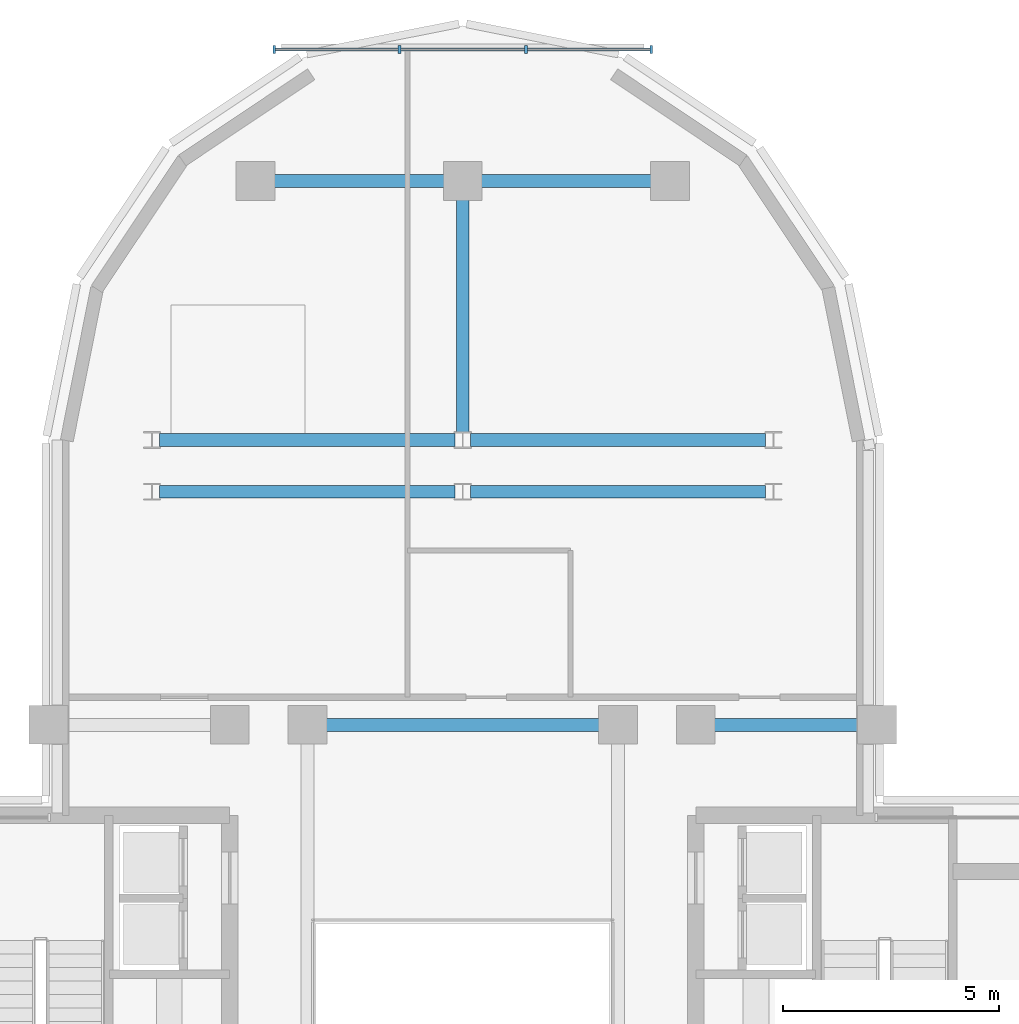
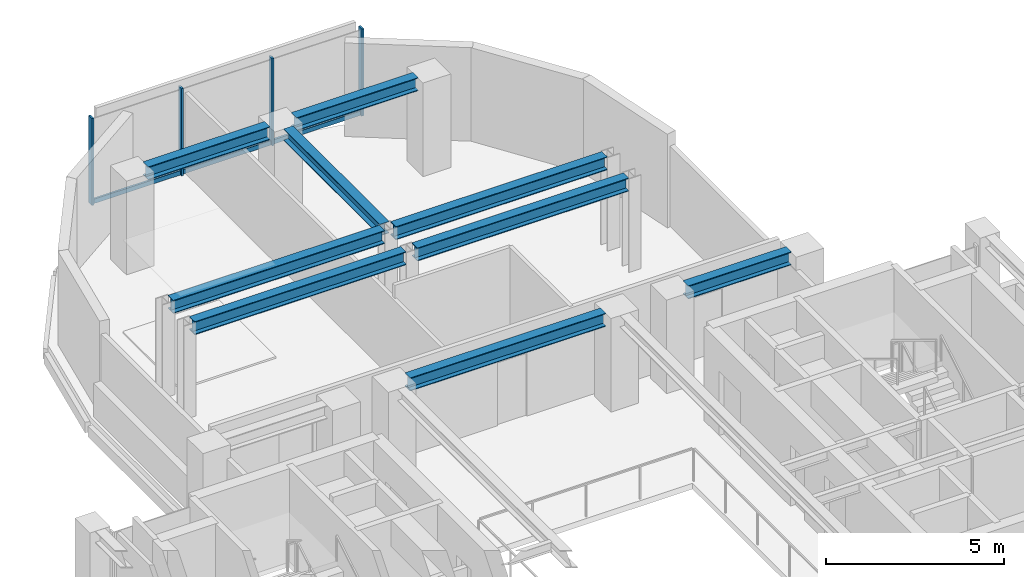
# One storey, part 4 of 12: 9 beams, 7 members, 1 element without a shape of its own.
"""IFC4 building model written with IfcOpenShell, lengths in metres."""

from ifc_helpers import new_model, si_unit, direction, frame, origin, origin_2d, place, context, subcontext, project, spatial, rectangle, i_section, extrude, source, transform, mapped, material, material_profile, profile_set, type_object, element, aggregate, save


model = new_model("IFC4")

# Units and contexts
model_context = context("Model", 3, precision=1e-05, world=origin(), true_north=direction((0.0, 1.0)))
body_context = subcontext(model_context, "Body", "Model", "MODEL_VIEW")
ifc_project = project(units=[si_unit("LENGTHUNIT", "METRE"), si_unit("AREAUNIT", "SQUARE_METRE"), si_unit("VOLUMEUNIT", "CUBIC_METRE"), si_unit("PLANEANGLEUNIT", "RADIAN"), si_unit("MASSUNIT", "GRAM", prefix="KILO")], contexts=[model_context])

# Site, building, storey
site_placement = place(None, origin())
site = spatial("IfcSite", under=ifc_project, at=site_placement, CompositionType="ELEMENT")
building_placement = place(site_placement, origin())
building = spatial("IfcBuilding", under=site, at=building_placement, Name="Keilestroom Media Tower", CompositionType="ELEMENT")
storey_placement = place(building_placement, frame((0.0, 0.0, 177.39990234375)))
storey = spatial("IfcBuildingStorey", under=building, at=storey_placement, Name="L48", CompositionType="ELEMENT", Elevation=177.39990234375)

# Beams
ifc_material_1 = material(Name="Steel S355", Category="steel")
ifc_material_profile_1 = material_profile(ifc_material_1, i_section(OverallWidth=0.300048828125, OverallDepth=0.449951171875, WebThickness=0.011962890625, FlangeThickness=0.02587890625, at=origin_2d()), Name="HEB 450")
ifc_profile_set_1 = profile_set([ifc_material_profile_1], Name="Steel S355")
beam_type_1 = type_object("IfcBeamType", Name="Primary-Structural-Girder-HEB-450", PredefinedType="BEAM", material=ifc_profile_set_1)
shared_shape_1 = source(origin(), body_context, "Body", "SweptSolid", [
    extrude(i_section(OverallWidth=0.300048828125, OverallDepth=0.449951171875, WebThickness=0.011962890625, FlangeThickness=0.02587890625, at=origin_2d()), origin(), (0.0, 0.0, 1.0), 3.940185546875),
])
for number, where, z_axis, x_axis, name in (
    (1, (-4.3701171875, 21.60009765625, 2.97509765625), (1.0, 0.0, 0.0), (0.0, 1.0, 0.0), "L48 Beam BG-7 BM-L48-EW-029"),
    (2, (0.429931640625, 21.60009765625, 2.97509765625), (1.0, 0.0, 0.0), (0.0, 1.0, 0.0), "L48 Beam BG-7 BM-L48-EW-030"),
):
    element("IfcBeam", number, at=place(storey_placement, frame(where, z_axis=z_axis, x_axis=x_axis)), inside=storey, type_object=beam_type_1, Name=name, PredefinedType="BEAM", context=body_context, shape_type="MappedRepresentation", body=[
        mapped(shared_shape_1, transform((0.0, 0.0, 0.0), x_axis=(1.0, 0.0, 0.0), y_axis=(0.0, 1.0, 0.0), z_axis=(0.0, 0.0, 1.0), scale=1.0)),
    ])
shared_shape_2 = source(origin(), body_context, "Body", "SweptSolid", [
    extrude(i_section(OverallWidth=0.300048828125, OverallDepth=0.449951171875, WebThickness=0.011962890625, FlangeThickness=0.02587890625, at=origin_2d()), origin(), (0.0, 0.0, 1.0), 6.842041015625),
])
for number, where, z_axis, x_axis, name in (
    (3, (-7.02099609375, 14.39990234375, 2.97509765625), (1.0, 0.0, 0.0), (0.0, 1.0, 0.0), "L48 Beam BG-7 BM-L48-EW-025"),
    (4, (0.178955078125, 14.39990234375, 2.97509765625), (1.0, 0.0, 0.0), (0.0, 1.0, 0.0), "L48 Beam BG-7 BM-L48-EW-026"),
    (5, (-7.02099609375, 15.60009765625, 2.97509765625), (1.0, 0.0, 0.0), (0.0, 1.0, 0.0), "L48 Beam BG-7 BM-L48-EW-027"),
    (6, (0.178955078125, 15.60009765625, 2.97509765625), (1.0, 0.0, 0.0), (0.0, 1.0, 0.0), "L48 Beam BG-7 BM-L48-EW-028"),
):
    element("IfcBeam", number, at=place(storey_placement, frame(where, z_axis=z_axis, x_axis=x_axis)), inside=storey, type_object=beam_type_1, Name=name, PredefinedType="BEAM", context=body_context, shape_type="MappedRepresentation", body=[
        mapped(shared_shape_2, transform((0.0, 0.0, 0.0), x_axis=(1.0, 0.0, 0.0), y_axis=(0.0, 1.0, 0.0), z_axis=(0.0, 0.0, 1.0), scale=1.0)),
    ])
shared_shape_3 = source(origin(), body_context, "Body", "SweptSolid", [
    extrude(i_section(OverallWidth=0.300048828125, OverallDepth=0.449951171875, WebThickness=0.011962890625, FlangeThickness=0.02587890625, at=origin_2d()), origin(), (0.0, 0.0, 1.0), 3.33984375),
])
beam_1_placement = place(storey_placement, frame((5.830078125, 9.0, 2.97509765625), z_axis=(1.0, 0.0, 0.0), x_axis=(0.0, 1.0, 0.0)))
element("IfcBeam", 7, at=beam_1_placement, inside=storey, type_object=beam_type_1, Name="L48 Beam BG-7 BM-L48-EW-024", PredefinedType="BEAM", context=body_context, shape_type="MappedRepresentation", body=[
    mapped(shared_shape_3, transform((0.0, 0.0, 0.0), x_axis=(1.0, 0.0, 0.0), y_axis=(0.0, 1.0, 0.0), z_axis=(0.0, 0.0, 1.0), scale=1.0)),
])
shared_shape_4 = source(origin(), body_context, "Body", "SweptSolid", [
    extrude(i_section(OverallWidth=0.300048828125, OverallDepth=0.449951171875, WebThickness=0.011962890625, FlangeThickness=0.02587890625, at=origin_2d()), origin(), (0.0, 0.0, 1.0), 6.33984375),
])
beam_2_placement = place(storey_placement, frame((-3.169921875, 9.0, 2.97509765625), z_axis=(1.0, 0.0, 0.0), x_axis=(0.0, 1.0, 0.0)))
element("IfcBeam", 8, at=beam_2_placement, inside=storey, type_object=beam_type_1, Name="L48 Beam BG-7 BM-L48-EW-022", PredefinedType="BEAM", context=body_context, shape_type="MappedRepresentation", body=[
    mapped(shared_shape_4, transform((0.0, 0.0, 0.0), x_axis=(1.0, 0.0, 0.0), y_axis=(0.0, 1.0, 0.0), z_axis=(0.0, 0.0, 1.0), scale=1.0)),
])
ifc_material_profile_2 = material_profile(ifc_material_1, i_section(OverallWidth=0.300048828125, OverallDepth=0.39990234375, WebThickness=0.011474609375, FlangeThickness=0.02392578125, at=origin_2d()), Name="HEB 400")
ifc_profile_set_2 = profile_set([ifc_material_profile_2], Name="Steel S355")
beam_type_2 = type_object("IfcBeamType", Name="Primary-Structural-Girder-HEB-400", PredefinedType="BEAM", material=ifc_profile_set_2)
shared_shape_5 = source(origin(), body_context, "Body", "SweptSolid", [
    extrude(i_section(OverallWidth=0.300048828125, OverallDepth=0.39990234375, WebThickness=0.011474609375, FlangeThickness=0.02392578125, at=origin_2d()), origin(), (0.0, 0.0, 1.0), 5.396484375),
])
beam_3_placement = place(storey_placement, frame((0.0, 15.7734375, 3.0), z_axis=(0.0, 1.0, 0.0), x_axis=(-1.0, 0.0, 0.0)))
element("IfcBeam", 9, at=beam_3_placement, inside=storey, type_object=beam_type_2, Name="L48 Beam BG-8 BM-L48-NS-044", PredefinedType="BEAM", context=body_context, shape_type="MappedRepresentation", body=[
    mapped(shared_shape_5, transform((0.0, 0.0, 0.0), x_axis=(1.0, 0.0, 0.0), y_axis=(0.0, 1.0, 0.0), z_axis=(0.0, 0.0, 1.0), scale=1.0)),
])

# Curtain wall, members
ifc_material_2 = material(Name="Anodised Aluminium Alloy", Category="aluminium")
curtain_wall_type = type_object("IfcCurtainWallType", Name="Unitised-Curtain-Wall-CW-6", PredefinedType="NOTDEFINED", material=ifc_material_2)
curtain_wall_placement = place(storey_placement, origin())
curtain_wall = element("IfcCurtainWall", 10, at=curtain_wall_placement, inside=storey, type_object=curtain_wall_type, Name="L48 Curtain Wall CW-6 CW-L48-LN-1", PredefinedType="NOTDEFINED")
ifc_material_profile_3 = material_profile(ifc_material_2, rectangle(XDim=0.06494140625, YDim=0.179931640625, at=origin_2d()), Name="ALU MULLION 65x180")
ifc_profile_set_3 = profile_set([ifc_material_profile_3], Name="Anodised Aluminium Alloy")
member_type_1 = type_object("IfcMemberType", Name="Curtain-Wall-Mullion-CW-6", PredefinedType="MULLION", material=ifc_profile_set_3)
shared_shape_6 = source(origin(), body_context, "Body", "SweptSolid", [
    extrude(rectangle(XDim=0.06494140625, YDim=0.179931640625, at=origin_2d()), origin(), (0.0, 0.0, 1.0), 2.97998046875),
])
member_1_placement = place(storey_placement, frame((-4.367431640625, 24.64990234375, 0.0), z_axis=(0.0, 0.0, 1.0), x_axis=(1.0, 0.0, 0.0)))
member_1 = element("IfcMember", 11, at=member_1_placement, type_object=member_type_1, Name="CW-6 Mullion 00", PredefinedType="MULLION", context=body_context, shape_type="MappedRepresentation", body=[
    mapped(shared_shape_6, transform((0.0, 0.0, 0.0), x_axis=(1.0, 0.0, 0.0), y_axis=(0.0, 1.0, 0.0), z_axis=(0.0, 0.0, 1.0), scale=1.0)),
])
member_2_placement = place(storey_placement, frame((-1.466796875, 24.64990234375, 0.0), z_axis=(0.0, 0.0, 1.0), x_axis=(1.0, 0.0, 0.0)))
member_2 = element("IfcMember", 12, at=member_2_placement, type_object=member_type_1, Name="CW-6 Mullion 01", PredefinedType="MULLION", context=body_context, shape_type="MappedRepresentation", body=[
    mapped(shared_shape_6, transform((0.0, 0.0, 0.0), x_axis=(1.0, 0.0, 0.0), y_axis=(0.0, 1.0, 0.0), z_axis=(0.0, 0.0, 1.0), scale=1.0)),
])
member_3_placement = place(storey_placement, frame((1.466796875, 24.64990234375, 0.0), z_axis=(0.0, 0.0, 1.0), x_axis=(1.0, 0.0, 0.0)))
member_3 = element("IfcMember", 13, at=member_3_placement, type_object=member_type_1, Name="CW-6 Mullion 02", PredefinedType="MULLION", context=body_context, shape_type="MappedRepresentation", body=[
    mapped(shared_shape_6, transform((0.0, 0.0, 0.0), x_axis=(1.0, 0.0, 0.0), y_axis=(0.0, 1.0, 0.0), z_axis=(0.0, 0.0, 1.0), scale=1.0)),
])
member_4_placement = place(storey_placement, frame((4.367431640625, 24.64990234375, 0.0), z_axis=(0.0, 0.0, 1.0), x_axis=(1.0, 0.0, 0.0)))
member_4 = element("IfcMember", 14, at=member_4_placement, type_object=member_type_1, Name="CW-6 Mullion 03", PredefinedType="MULLION", context=body_context, shape_type="MappedRepresentation", body=[
    mapped(shared_shape_6, transform((0.0, 0.0, 0.0), x_axis=(1.0, 0.0, 0.0), y_axis=(0.0, 1.0, 0.0), z_axis=(0.0, 0.0, 1.0), scale=1.0)),
])
ifc_material_profile_4 = material_profile(ifc_material_2, rectangle(XDim=0.06494140625, YDim=0.14990234375, at=origin_2d()), Name="ALU TRANSOM 65x150")
ifc_profile_set_4 = profile_set([ifc_material_profile_4], Name="Anodised Aluminium Alloy")
member_type_2 = type_object("IfcMemberType", Name="Curtain-Wall-Transom-CW-6", PredefinedType="USERDEFINED", material=ifc_profile_set_4)
shared_shape_7 = source(origin(), body_context, "Body", "SweptSolid", [
    extrude(rectangle(XDim=0.06494140625, YDim=0.14990234375, at=origin_2d()), origin(), (0.0, 0.0, 1.0), 2.839599609375),
])
member_5_placement = place(storey_placement, frame((-4.3369140625, 24.64990234375, 0.0751953125), z_axis=(1.0, 0.0, 0.0), x_axis=(0.0, 1.0, 0.0)))
member_5 = element("IfcMember", 15, at=member_5_placement, type_object=member_type_2, Name="CW-6 Transom 00.1", ObjectType="TRANSOM", PredefinedType="USERDEFINED", context=body_context, shape_type="MappedRepresentation", body=[
    mapped(shared_shape_7, transform((0.0, 0.0, 0.0), x_axis=(1.0, 0.0, 0.0), y_axis=(0.0, 1.0, 0.0), z_axis=(0.0, 0.0, 1.0), scale=1.0)),
])
member_6_placement = place(storey_placement, frame((1.497314453125, 24.64990234375, 0.0751953125), z_axis=(1.0, 0.0, 0.0), x_axis=(0.0, 1.0, 0.0)))
member_6 = element("IfcMember", 16, at=member_6_placement, type_object=member_type_2, Name="CW-6 Transom 02.1", ObjectType="TRANSOM", PredefinedType="USERDEFINED", context=body_context, shape_type="MappedRepresentation", body=[
    mapped(shared_shape_7, transform((0.0, 0.0, 0.0), x_axis=(1.0, 0.0, 0.0), y_axis=(0.0, 1.0, 0.0), z_axis=(0.0, 0.0, 1.0), scale=1.0)),
])
shared_shape_8 = source(origin(), body_context, "Body", "SweptSolid", [
    extrude(rectangle(XDim=0.06494140625, YDim=0.14990234375, at=origin_2d()), origin(), (0.0, 0.0, 1.0), 2.87255859375),
])
member_7_placement = place(storey_placement, frame((-1.436279296875, 24.64990234375, 0.0751953125), z_axis=(1.0, 0.0, 0.0), x_axis=(0.0, 1.0, 0.0)))
member_7 = element("IfcMember", 17, at=member_7_placement, type_object=member_type_2, Name="CW-6 Transom 01.1", ObjectType="TRANSOM", PredefinedType="USERDEFINED", context=body_context, shape_type="MappedRepresentation", body=[
    mapped(shared_shape_8, transform((0.0, 0.0, 0.0), x_axis=(1.0, 0.0, 0.0), y_axis=(0.0, 1.0, 0.0), z_axis=(0.0, 0.0, 1.0), scale=1.0)),
])
aggregate(curtain_wall, [member_1, member_2, member_3, member_4, member_5, member_7, member_6])

save(model, "model.ifc")
